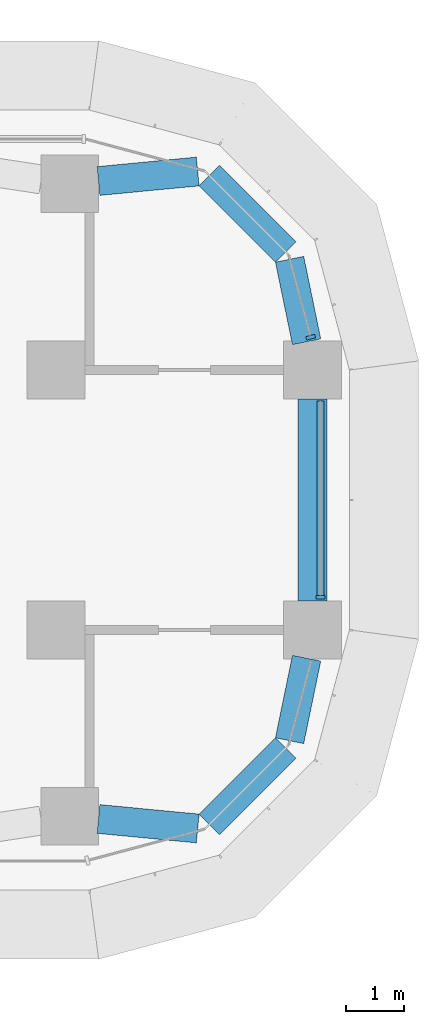
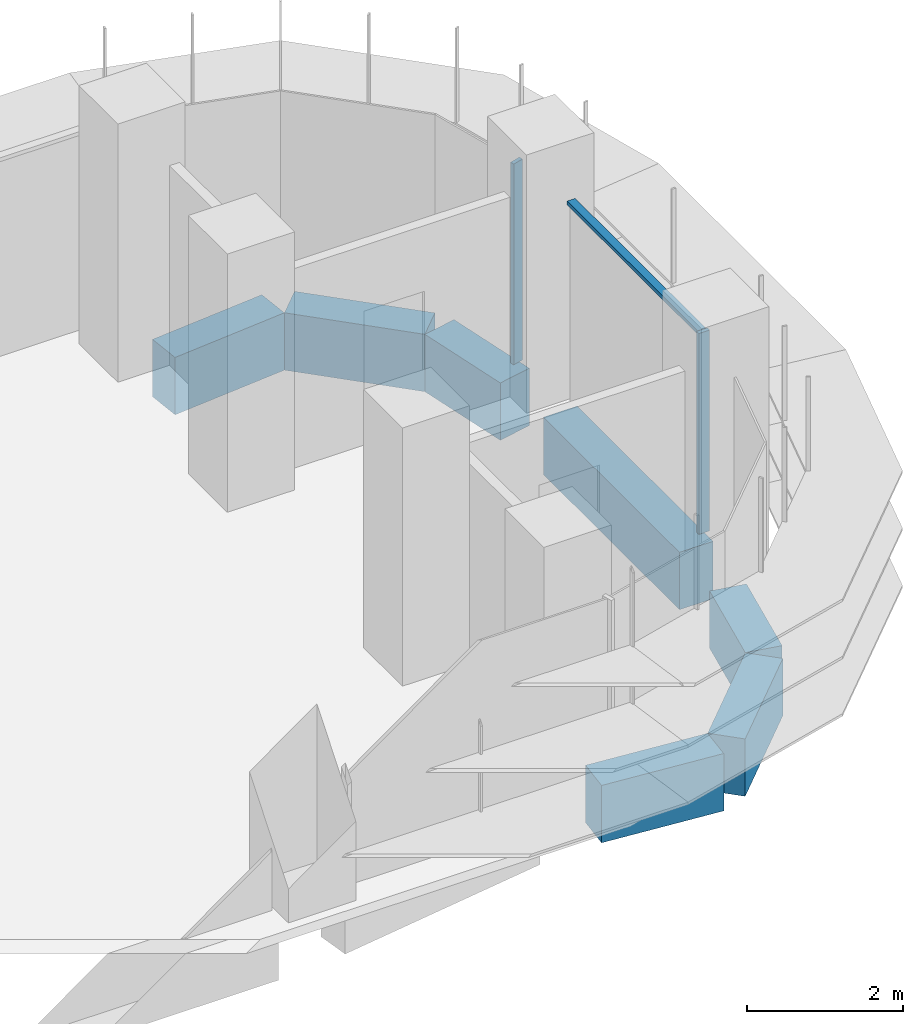
# One storey, part 11 of 23: 7 beams, 3 members, 2 elements without a shape of their own.
"""IFC4 building model written with IfcOpenShell, lengths in metres."""

from ifc_helpers import new_model, si_unit, direction, frame, origin, origin_2d, place, context, subcontext, project, spatial, polyline, rectangle, outline, extrude, source, transform, mapped, material, material_profile, profile_set, type_object, element, aggregate, save


model = new_model("IFC4")

# Units and contexts
model_context = context("Model", 3, precision=1e-05, world=origin(), true_north=direction((0.0, 1.0)))
body_context = subcontext(model_context, "Body", "Model", "MODEL_VIEW")
ifc_project = project(units=[si_unit("LENGTHUNIT", "METRE"), si_unit("AREAUNIT", "SQUARE_METRE"), si_unit("VOLUMEUNIT", "CUBIC_METRE"), si_unit("PLANEANGLEUNIT", "RADIAN"), si_unit("MASSUNIT", "GRAM", prefix="KILO")], contexts=[model_context])

# Site, building, storey
site_placement = place(None, origin())
site = spatial("IfcSite", under=ifc_project, at=site_placement, CompositionType="ELEMENT")
building_placement = place(site_placement, origin())
building = spatial("IfcBuilding", under=site, at=building_placement, Name="Zarbagh Exchange Tower", CompositionType="ELEMENT")
storey_placement = place(building_placement, frame((0.0, 0.0, 56.39990234375)))
storey = spatial("IfcBuildingStorey", under=building, at=storey_placement, Name="L12", CompositionType="ELEMENT", Elevation=56.39990234375)

# Beams
ifc_material_1 = material(Name="Concrete C60/75", Category="concrete")
ifc_material_profile = material_profile(ifc_material_1, rectangle(XDim=0.5, YDim=0.89990234375, at=origin_2d()), Name="RC spandrel beam 500 x 900 C60/75")
ifc_profile_set = profile_set([ifc_material_profile], Name="Concrete C60/75")
beam_type = type_object("IfcBeamType", Name="RC spandrel beam 500 x 900 C60/75", PredefinedType="SPANDREL", material=ifc_profile_set)
beam_1_placement = place(storey_placement, frame((29.40576171875, 5.522705078125, -0.599853515625), z_axis=(0.995431032456, 0.095483294999, 0.0), x_axis=(-0.095483294999, 0.995431032456, 0.0)))
element("IfcBeam", 1, at=beam_1_placement, inside=storey, type_object=beam_type, Name="RC spandrel beam", PredefinedType="SPANDREL", context=body_context, shape_type="SweptSolid", body=[
    extrude(rectangle(XDim=0.5, YDim=0.89990234375, at=origin_2d()), origin(), (0.0, 0.0, 1.0), 1.725830078125),
])
beam_2_placement = place(storey_placement, frame((31.324462890625, 5.615478515625, -0.599853515625), z_axis=(0.707172099812, -0.707041456527, 0.0), x_axis=(0.707041456527, 0.707172099812, 0.0)))
element("IfcBeam", 2, at=beam_2_placement, inside=storey, type_object=beam_type, Name="RC spandrel beam", PredefinedType="SPANDREL", context=body_context, shape_type="SweptSolid", body=[
    extrude(rectangle(XDim=0.5, YDim=0.89990234375, at=origin_2d()), origin(), (0.0, 0.0, 1.0), 1.86865234375),
])
beam_3_placement = place(storey_placement, frame((32.714111328125, 4.16796875, -0.599853515625), z_axis=(0.202068589164, -0.9793713725, 0.0), x_axis=(0.9793713725, 0.202068589164, 0.0)))
element("IfcBeam", 3, at=beam_3_placement, inside=storey, type_object=beam_type, Name="RC spandrel beam", PredefinedType="SPANDREL", context=body_context, shape_type="SweptSolid", body=[
    extrude(rectangle(XDim=0.5, YDim=0.89990234375, at=origin_2d()), origin(), (0.0, 0.0, 1.0), 1.458251953125),
])
beam_4_placement = place(storey_placement, frame((33.110107421875, 1.75, -0.599853515625), z_axis=(0.0, -1.0, 0.0), x_axis=(1.0, 0.0, 0.0)))
element("IfcBeam", 4, at=beam_4_placement, inside=storey, type_object=beam_type, Name="RC spandrel beam", PredefinedType="SPANDREL", context=body_context, shape_type="SweptSolid", body=[
    extrude(rectangle(XDim=0.5, YDim=0.89990234375, at=origin_2d()), origin(), (0.0, 0.0, 1.0), 3.5),
])
beam_5_placement = place(storey_placement, frame((33.0087890625, -2.73974609375, -0.599853515625), z_axis=(-0.202068589164, -0.9793713725, 0.0), x_axis=(0.9793713725, -0.202068589164, 0.0)))
element("IfcBeam", 5, at=beam_5_placement, inside=storey, type_object=beam_type, Name="RC spandrel beam", PredefinedType="SPANDREL", context=body_context, shape_type="SweptSolid", body=[
    extrude(rectangle(XDim=0.5, YDim=0.89990234375, at=origin_2d()), origin(), (0.0, 0.0, 1.0), 1.458251953125),
])
beam_6_placement = place(storey_placement, frame((32.64599609375, -4.294189453125, -0.599853515625), z_axis=(-0.707172099812, -0.707041456527, 0.0), x_axis=(0.707041456527, -0.707172099812, 0.0)))
element("IfcBeam", 6, at=beam_6_placement, inside=storey, type_object=beam_type, Name="RC spandrel beam", PredefinedType="SPANDREL", context=body_context, shape_type="SweptSolid", body=[
    extrude(rectangle(XDim=0.5, YDim=0.89990234375, at=origin_2d()), origin(), (0.0, 0.0, 1.0), 1.86865234375),
])
beam_7_placement = place(storey_placement, frame((31.123779296875, -5.6875, -0.599853515625), z_axis=(-0.995431032456, 0.095483294999, 0.0), x_axis=(-0.095483294999, -0.995431032456, 0.0)))
element("IfcBeam", 7, at=beam_7_placement, inside=storey, type_object=beam_type, Name="RC spandrel beam", PredefinedType="SPANDREL", context=body_context, shape_type="SweptSolid", body=[
    extrude(rectangle(XDim=0.5, YDim=0.89990234375, at=origin_2d()), origin(), (0.0, 0.0, 1.0), 1.725830078125),
])

# Curtain wall, member
ifc_material_2 = material(Name="Anodised aluminium frame and glazing", Category="aluminium")
curtain_wall_type = type_object("IfcCurtainWallType", Name="CWA Ribbon glazing, lower zones", PredefinedType="NOTDEFINED", material=ifc_material_2)
curtain_wall_1_placement = place(storey_placement, origin())
curtain_wall_1 = element("IfcCurtainWall", 8, at=curtain_wall_1_placement, inside=storey, type_object=curtain_wall_type, Name="CWA12 curtain wall", PredefinedType="NOTDEFINED")
ifc_material_3 = material(Name="Anodised aluminium frame", Category="aluminium")
member_type_1 = type_object("IfcMemberType", Name="MUA Mullion, anodised aluminium frame", PredefinedType="MULLION", material=ifc_material_3)
shared_shape_1 = source(origin(), body_context, "Body", "SweptSolid", [
    extrude(outline(polyline([(0.0, -0.080078125), (0.06005859375, -0.080078125), (0.06005859375, 0.080078125), (0.0, 0.080078125), (0.0, -0.080078125)])), origin(), (0.0, 0.0, 1.0), 3.14990234375),
])
placement = place(storey_placement, origin())
member_1 = element("IfcMember", 9, at=placement, type_object=member_type_1, Name="CWA12 mullion 1.1", PredefinedType="MULLION", context=body_context, shape_type="MappedRepresentation", body=[
    mapped(shared_shape_1, transform((33.25, -1.7099609375, 0.0), x_axis=(0.0, 1.0, 0.0), y_axis=(-1.0, 0.0, 0.0), z_axis=(0.0, 0.0, 1.0))),
])

curtain_wall_2_placement = place(storey_placement, origin())
curtain_wall_2 = element("IfcCurtainWall", 10, at=curtain_wall_2_placement, inside=storey, type_object=curtain_wall_type, Name="CWA13 curtain wall", PredefinedType="NOTDEFINED")
member_2 = element("IfcMember", 11, at=placement, type_object=member_type_1, Name="CWA13 mullion 1.1", PredefinedType="MULLION", context=body_context, shape_type="MappedRepresentation", body=[
    mapped(shared_shape_1, transform((33.087646484375, 2.7900390625, 0.0), x_axis=(-0.258824779902, 0.965924289636, 0.0), y_axis=(-0.965924289636, -0.258824779902, 0.0), z_axis=(0.0, 0.0, 1.0))),
])
aggregate(curtain_wall_2, [member_2])

# Member
member_type_2 = type_object("IfcMemberType", Name="TRA Transom, anodised aluminium frame", PredefinedType="USERDEFINED", material=ifc_material_3)
shared_shape_2 = source(origin(), body_context, "Body", "SweptSolid", [
    extrude(outline(polyline([(-0.06005859375, -0.06005859375), (0.0, -0.06005859375), (0.0, 0.06005859375), (-0.06005859375, 0.06005859375), (-0.06005859375, -0.06005859375)])), origin(), (0.0, 0.0, 1.0), 3.360107421875),
])
member_3 = element("IfcMember", 12, at=placement, type_object=member_type_2, Name="CWA12 transom 1.1", ObjectType="TRANSOM", PredefinedType="USERDEFINED", context=body_context, shape_type="MappedRepresentation", body=[
    mapped(shared_shape_2, transform((33.25, -1.64990234375, 3.150146484375), x_axis=(0.0, 0.0, 1.0), y_axis=(1.0, 0.0, 0.0), z_axis=(0.0, 1.0, 0.0))),
])

aggregate(curtain_wall_1, [member_1, member_3])

save(model, "model.ifc")
